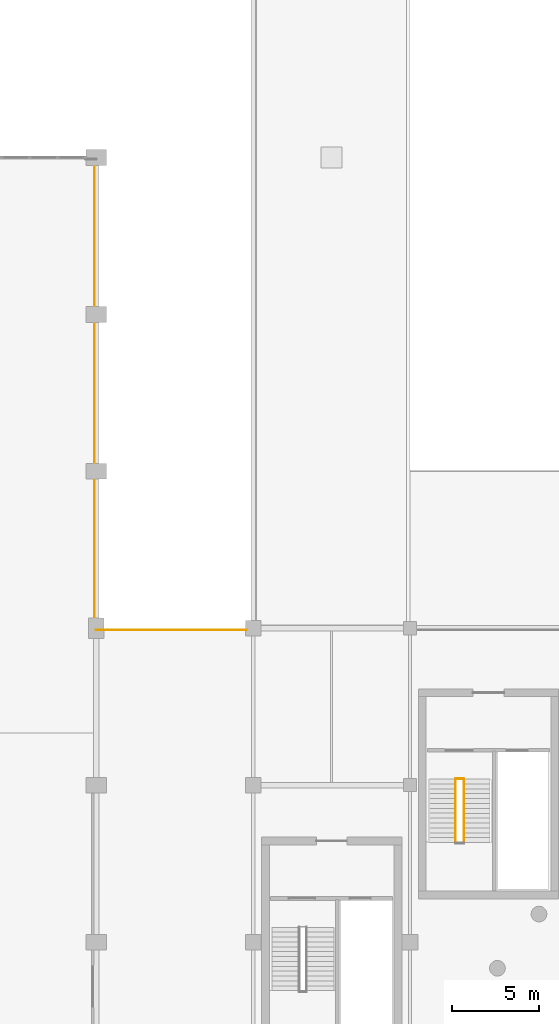
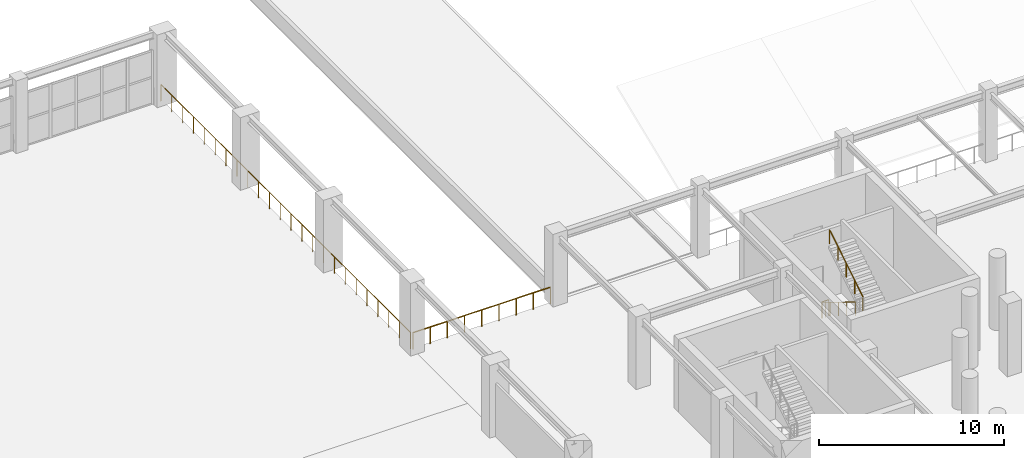
# One storey, part 76 of 89: 5 railings.
"""IFC4 building model written with IfcOpenShell, lengths in metres."""

import ifcopenshell
import ifcopenshell.guid

model = None  # the IFC model being written
_history = None  # IfcOwnerHistory: only IFC2X3 demands one
_inside = {}  # id of a spatial element -> (the spatial element, [elements in it])
_under = {}  # id of a project, library or spatial element -> (it, [spatial elements below it])
_declared = {}  # id of a project -> (the project, [libraries it declares])
_typed = {}  # id of a type object -> (the type object, [elements of that type])
_made_of = {}  # id of a material, layer set ... -> (it, [elements and type objects made of it])


def new_model(schema):
    """Start an empty IFC model of exactly this schema.

    Asked for "IFC4X3", IfcOpenShell would pick the latest addendum, in which some entities
    have other attributes; the version numbers below select the first issue.
    IFC2X3 requires an IfcOwnerHistory on every rooted entity: one is made here for all.
    """
    global model, _history
    if schema == "IFC4X3":
        model = ifcopenshell.file(schema_version=(4, 3, 0, 0))
    else:
        model = ifcopenshell.file(schema=schema)
    _inside.clear()
    _under.clear()
    _declared.clear()
    _typed.clear()
    _made_of.clear()
    _history = None
    if model.schema == "IFC2X3":
        org = make("IfcOrganization", Name="unknown")
        user = make(
            "IfcPersonAndOrganization",
            ThePerson=make("IfcPerson", FamilyName="unknown"),
            TheOrganization=org,
        )
        app = make(
            "IfcApplication",
            ApplicationDeveloper=org,
            Version="unknown",
            ApplicationFullName="unknown",
            ApplicationIdentifier="unknown",
        )
        _history = make(
            "IfcOwnerHistory",
            OwningUser=user,
            OwningApplication=app,
            ChangeAction="ADDED",
            CreationDate=0,
        )
    return model


def make(cls, **values):
    """One entity of the class cls with the attributes given. An attribute that is None is left unset."""
    return model.create_entity(
        cls, **{name: value for name, value in values.items() if value is not None}
    )


def rooted(cls, **values):
    """An entity with a GlobalId (a new one), such as an element, a storey or a relation."""
    return make(cls, GlobalId=ifcopenshell.guid.new(), OwnerHistory=_history, **values)


def si_unit(unit_type, name, prefix=None):
    """IfcSIUnit, for example si_unit("LENGTHUNIT", "METRE", prefix="MILLI")."""
    return make("IfcSIUnit", UnitType=unit_type, Prefix=prefix, Name=name)


def assignment(units):
    """IfcUnitAssignment: the units of a project."""
    return None if units is None else make("IfcUnitAssignment", Units=units)


def point(xyz):
    """IfcCartesianPoint."""
    return None if xyz is None else make("IfcCartesianPoint", Coordinates=xyz)


def direction(xyz):
    """IfcDirection."""
    return None if xyz is None else make("IfcDirection", DirectionRatios=xyz)


def frame(location, z_axis=None, x_axis=None):
    """IfcAxis2Placement3D, a coordinate frame: its origin and axes. An axis left out is left unset."""
    return make(
        "IfcAxis2Placement3D",
        Location=point(location),
        Axis=direction(z_axis),
        RefDirection=direction(x_axis),
    )


def frame_2d(location, x_axis=None):
    """IfcAxis2Placement2D, a coordinate frame in the plane: its origin and x axis."""
    return make(
        "IfcAxis2Placement2D", Location=point(location), RefDirection=direction(x_axis)
    )


def origin():
    """The frame at (0, 0, 0) with its axes left unset."""
    return frame((0.0, 0.0, 0.0))


def origin_2d():
    """The frame at (0, 0) in the plane with its x axis left unset."""
    return frame_2d((0.0, 0.0))


def place(relative_to, where):
    """IfcLocalPlacement: puts the frame where relative to a parent placement (None: the world)."""
    return make(
        "IfcLocalPlacement", PlacementRelTo=relative_to, RelativePlacement=where
    )


def context(
    kind, dimensions, precision=None, world=None, true_north=None, identifier=None
):
    """IfcGeometricRepresentationContext, for example the 3D "Model" context."""
    return make(
        "IfcGeometricRepresentationContext",
        ContextIdentifier=identifier,
        ContextType=kind,
        CoordinateSpaceDimension=dimensions,
        Precision=precision,
        WorldCoordinateSystem=world,
        TrueNorth=true_north,
    )


def subcontext(parent, identifier, kind, view, scale=None):
    """IfcGeometricRepresentationSubContext, for example "Body" below "Model"."""
    return make(
        "IfcGeometricRepresentationSubContext",
        ContextIdentifier=identifier,
        ContextType=kind,
        ParentContext=parent,
        TargetScale=scale,
        TargetView=view,
    )


def project(units=None, contexts=None):
    """IfcProject with its units and contexts."""
    return rooted(
        "IfcProject",
        Name="project",
        RepresentationContexts=contexts,
        UnitsInContext=assignment(units),
    )


def spatial(cls, under=None, at=None, **own):
    """A site, building, storey or space (cls), placed at a placement, below another one or the project."""
    s = rooted(cls, ObjectPlacement=at, **own)
    if under is not None:
        _under.setdefault(under.id(), (under, []))[1].append(s)
    return s


def profile(cls, at=None, kind="AREA", **sizes):
    """A parametric profile (cls). Its sizes go by their IFC names, for example OverallWidth=200.0."""
    return make(cls, ProfileType=kind, Position=at, **sizes)


def circle(**sizes):
    """IfcCircleProfileDef."""
    return profile("IfcCircleProfileDef", **sizes)


def extrude(swept, where, along, depth):
    """IfcExtrudedAreaSolid: the profile swept, set in the frame where, extruded along a direction by depth."""
    return make(
        "IfcExtrudedAreaSolid",
        SweptArea=swept,
        Position=where,
        ExtrudedDirection=direction(along),
        Depth=depth,
    )


def shape(context_of_items, identifier, shape_type, items):
    """IfcShapeRepresentation: the items that make up one representation, for example the "Body"."""
    return make(
        "IfcShapeRepresentation",
        ContextOfItems=context_of_items,
        RepresentationIdentifier=identifier,
        RepresentationType=shape_type,
        Items=items,
    )


def material(Name=None, Category=None):
    """IfcMaterial."""
    return make("IfcMaterial", Name=Name, Category=Category)


def made_of(thing, what):
    """Note that an element or type object is made of a material, layer set ...; save() writes the relation."""
    if what is not None:
        _made_of.setdefault(what.id(), (what, []))[1].append(thing)
    return thing


def type_object(cls, material=None, **own):
    """A type object (cls), such as IfcWallType, which elements share."""
    return made_of(rooted(cls, **own), material)


def element(
    cls,
    number,
    at=None,
    inside=None,
    cuts=None,
    type_object=None,
    material=None,
    context=None,
    identifier="Body",
    shape_type=None,
    held_by="IfcProductDefinitionShape",
    body=None,
    shapes=None,
    **own,
):
    """One element of the class cls, such as IfcWall. Its Tag is "e" and its number.

    at: its placement. inside: the storey or other place that contains it. cuts: it is an
    opening in that element (IfcRelVoidsElement). A single representation is given by context,
    identifier, shape_type and body (its items); several are given by shapes. held_by: the class
    of the entity that holds the representations. save() writes the other relations.
    """
    e = rooted(cls, Tag="e%d" % number, ObjectPlacement=at, **own)
    if body is not None:
        shapes = [shape(context, identifier, shape_type, body)]
    if shapes is not None:
        e.Representation = make(held_by, Representations=shapes)
    if inside is not None:
        _inside.setdefault(inside.id(), (inside, []))[1].append(e)
    if cuts is not None:
        rooted(
            "IfcRelVoidsElement", RelatingBuildingElement=cuts, RelatedOpeningElement=e
        )
    if type_object is not None:
        _typed.setdefault(type_object.id(), (type_object, []))[1].append(e)
    return made_of(e, material)


def aggregate(whole, parts):
    """IfcRelAggregates: a whole, such as a stair, and the parts it consists of."""
    return rooted("IfcRelAggregates", RelatingObject=whole, RelatedObjects=parts)


def save(model, path):
    """Write the relations noted so far, then the file.

    IfcRelAggregates (storeys below a building ...), IfcRelContainedInSpatialStructure (elements
    in a storey), IfcRelDefinesByType, IfcRelAssociatesMaterial and IfcRelDeclares: one each for
    every whole, place, type object, material and project.
    """
    for whole, parts in _under.values():
        aggregate(whole, parts)
    for where, things in _inside.values():
        rooted(
            "IfcRelContainedInSpatialStructure",
            RelatedElements=things,
            RelatingStructure=where,
        )
    for kind, things in _typed.values():
        rooted("IfcRelDefinesByType", RelatedObjects=things, RelatingType=kind)
    for what, things in _made_of.values():
        rooted("IfcRelAssociatesMaterial", RelatedObjects=things, RelatingMaterial=what)
    for by, libraries in _declared.values():
        rooted("IfcRelDeclares", RelatingContext=by, RelatedDefinitions=libraries)
    model.write(path)


model = new_model("IFC4")

# Units and contexts
model_context = context("Model", 3, precision=1e-05, world=origin(), true_north=direction((0.0, 1.0)))
body_context = subcontext(model_context, "Body", "Model", "MODEL_VIEW")
ifc_project = project(units=[si_unit("LENGTHUNIT", "METRE"), si_unit("AREAUNIT", "SQUARE_METRE"), si_unit("VOLUMEUNIT", "CUBIC_METRE"), si_unit("PLANEANGLEUNIT", "RADIAN"), si_unit("MASSUNIT", "GRAM", prefix="KILO")], contexts=[model_context])

# Site, building, storey
site_placement = place(None, origin())
site = spatial("IfcSite", under=ifc_project, at=site_placement, CompositionType="ELEMENT")
building_placement = place(site_placement, origin())
building = spatial("IfcBuilding", under=site, at=building_placement, Name="Dornveld Trade and Exhibition Forum", CompositionType="ELEMENT")
storey_placement = place(building_placement, frame((0.0, 0.0, 12.0)))
storey = spatial("IfcBuildingStorey", under=building, at=storey_placement, Name="L02", CompositionType="ELEMENT", Elevation=12.0)

# Railings
ifc_material_1 = material(Name="Dark-bronze steel and laminated glass balustrade", Category="steel")
railing_type_1 = type_object("IfcRailingType", Name="RL-BALUST-CONC", PredefinedType="BALUSTRADE", material=ifc_material_1)
railing_1_placement = place(storey_placement, frame((80.89990234375, 135.0, 0.0)))
element("IfcRailing", 1, at=railing_1_placement, inside=storey, type_object=railing_type_1, Name="L02 deck edge balustrade 136", PredefinedType="BALUSTRADE", context=body_context, shape_type="SweptSolid", body=[
    extrude(circle(Radius=0.02490234375, at=origin_2d()), frame((0.0, 0.0, 1.09521484375), z_axis=(0.0, -1.0, 0.0), x_axis=(1.0, 0.0, 0.0)), (0.0, 0.0, 1.0), 27.0),
    extrude(circle(Radius=0.02099609375, at=origin_2d()), origin(), (0.0, 0.0, 1.0), 1.070068359375),
    extrude(circle(Radius=0.02099609375, at=origin_2d()), frame((0.0, -1.173828125, 0.0)), (0.0, 0.0, 1.0), 1.070068359375),
    extrude(circle(Radius=0.02099609375, at=origin_2d()), frame((0.0, -2.347900390625, 0.0)), (0.0, 0.0, 1.0), 1.070068359375),
    extrude(circle(Radius=0.02099609375, at=origin_2d()), frame((0.0, -3.521728515625, 0.0)), (0.0, 0.0, 1.0), 1.070068359375),
    extrude(circle(Radius=0.02099609375, at=origin_2d()), frame((0.0, -4.695556640625, 0.0)), (0.0, 0.0, 1.0), 1.070068359375),
    extrude(circle(Radius=0.02099609375, at=origin_2d()), frame((0.0, -5.86962890625, 0.0)), (0.0, 0.0, 1.0), 1.070068359375),
    extrude(circle(Radius=0.02099609375, at=origin_2d()), frame((0.0, -7.04345703125, 0.0)), (0.0, 0.0, 1.0), 1.070068359375),
    extrude(circle(Radius=0.02099609375, at=origin_2d()), frame((0.0, -8.21728515625, 0.0)), (0.0, 0.0, 1.0), 1.070068359375),
    extrude(circle(Radius=0.02099609375, at=origin_2d()), frame((0.0, -9.391357421875, 0.0)), (0.0, 0.0, 1.0), 1.070068359375),
    extrude(circle(Radius=0.02099609375, at=origin_2d()), frame((0.0, -10.565185546875, 0.0)), (0.0, 0.0, 1.0), 1.070068359375),
    extrude(circle(Radius=0.02099609375, at=origin_2d()), frame((0.0, -11.739013671875, 0.0)), (0.0, 0.0, 1.0), 1.070068359375),
    extrude(circle(Radius=0.02099609375, at=origin_2d()), frame((0.0, -12.9130859375, 0.0)), (0.0, 0.0, 1.0), 1.070068359375),
    extrude(circle(Radius=0.02099609375, at=origin_2d()), frame((0.0, -14.0869140625, 0.0)), (0.0, 0.0, 1.0), 1.070068359375),
    extrude(circle(Radius=0.02099609375, at=origin_2d()), frame((0.0, -15.260986328125, 0.0)), (0.0, 0.0, 1.0), 1.070068359375),
    extrude(circle(Radius=0.02099609375, at=origin_2d()), frame((0.0, -16.434814453125, 0.0)), (0.0, 0.0, 1.0), 1.070068359375),
    extrude(circle(Radius=0.02099609375, at=origin_2d()), frame((0.0, -17.608642578125, 0.0)), (0.0, 0.0, 1.0), 1.070068359375),
    extrude(circle(Radius=0.02099609375, at=origin_2d()), frame((0.0, -18.78271484375, 0.0)), (0.0, 0.0, 1.0), 1.070068359375),
    extrude(circle(Radius=0.02099609375, at=origin_2d()), frame((0.0, -19.95654296875, 0.0)), (0.0, 0.0, 1.0), 1.070068359375),
    extrude(circle(Radius=0.02099609375, at=origin_2d()), frame((0.0, -21.13037109375, 0.0)), (0.0, 0.0, 1.0), 1.070068359375),
    extrude(circle(Radius=0.02099609375, at=origin_2d()), frame((0.0, -22.304443359375, 0.0)), (0.0, 0.0, 1.0), 1.070068359375),
    extrude(circle(Radius=0.02099609375, at=origin_2d()), frame((0.0, -23.478271484375, 0.0)), (0.0, 0.0, 1.0), 1.070068359375),
    extrude(circle(Radius=0.02099609375, at=origin_2d()), frame((0.0, -24.652099609375, 0.0)), (0.0, 0.0, 1.0), 1.070068359375),
    extrude(circle(Radius=0.02099609375, at=origin_2d()), frame((0.0, -25.826171875, 0.0)), (0.0, 0.0, 1.0), 1.070068359375),
    extrude(circle(Radius=0.02099609375, at=origin_2d()), frame((0.0, -27.0, 0.0)), (0.0, 0.0, 1.0), 1.070068359375),
])
railing_2_placement = place(storey_placement, frame((81.0, 107.89990234375, 0.0)))
element("IfcRailing", 2, at=railing_2_placement, inside=storey, type_object=railing_type_1, Name="L02 deck edge balustrade 137", PredefinedType="BALUSTRADE", context=body_context, shape_type="SweptSolid", body=[
    extrude(circle(Radius=0.02490234375, at=origin_2d()), frame((0.0, 0.0, 1.09521484375), z_axis=(1.0, 0.0, 0.0), x_axis=(0.0, 1.0, 0.0)), (0.0, 0.0, 1.0), 8.60009765625),
    extrude(circle(Radius=0.02099609375, at=origin_2d()), origin(), (0.0, 0.0, 1.0), 1.070068359375),
    extrude(circle(Radius=0.02099609375, at=origin_2d()), frame((1.074951171875, 0.0, 0.0)), (0.0, 0.0, 1.0), 1.070068359375),
    extrude(circle(Radius=0.02099609375, at=origin_2d()), frame((2.14990234375, 0.0, 0.0)), (0.0, 0.0, 1.0), 1.070068359375),
    extrude(circle(Radius=0.02099609375, at=origin_2d()), frame((3.22509765625, 0.0, 0.0)), (0.0, 0.0, 1.0), 1.070068359375),
    extrude(circle(Radius=0.02099609375, at=origin_2d()), frame((4.300048828125, 0.0, 0.0)), (0.0, 0.0, 1.0), 1.070068359375),
    extrude(circle(Radius=0.02099609375, at=origin_2d()), frame((5.375, 0.0, 0.0)), (0.0, 0.0, 1.0), 1.070068359375),
    extrude(circle(Radius=0.02099609375, at=origin_2d()), frame((6.4501953125, 0.0, 0.0)), (0.0, 0.0, 1.0), 1.070068359375),
    extrude(circle(Radius=0.02099609375, at=origin_2d()), frame((7.525146484375, 0.0, 0.0)), (0.0, 0.0, 1.0), 1.070068359375),
    extrude(circle(Radius=0.02099609375, at=origin_2d()), frame((8.60009765625, 0.0, 0.0)), (0.0, 0.0, 1.0), 1.070068359375),
])
ifc_material_2 = material(Name="Brushed stainless steel handrail", Category="steel")
railing_type_2 = type_object("IfcRailingType", Name="RL-HAND-920", PredefinedType="HANDRAIL", material=ifc_material_2)
railing_3_placement = place(storey_placement, frame((101.60498046875, 99.35009765625, 0.17138671875)))
element("IfcRailing", 3, at=railing_3_placement, inside=storey, type_object=railing_type_2, Name="ST-03-L02 flight 1 handrail", PredefinedType="HANDRAIL", context=body_context, shape_type="SweptSolid", body=[
    extrude(circle(Radius=0.02099609375, at=origin_2d()), frame((0.0, 0.0, 0.89892578125), z_axis=(0.0, -0.852865859571, 0.52213008492), x_axis=(1.0, 0.0, 0.0)), (0.0, 0.0, 1.0), 4.26806640625),
    extrude(circle(Radius=0.01806640625, at=origin_2d()), origin(), (0.0, 0.0, 1.0), 0.8779296875),
    extrude(circle(Radius=0.01806640625, at=origin_2d()), frame((0.0, -0.91015625, 0.55712890625)), (0.0, 0.0, 1.0), 0.8779296875),
    extrude(circle(Radius=0.01806640625, at=origin_2d()), frame((0.0, -1.820068359375, 1.1142578125)), (0.0, 0.0, 1.0), 0.8779296875),
    extrude(circle(Radius=0.01806640625, at=origin_2d()), frame((0.0, -2.72998046875, 1.67138671875)), (0.0, 0.0, 1.0), 0.8779296875),
    extrude(circle(Radius=0.01806640625, at=origin_2d()), frame((0.0, -3.64013671875, 2.228515625)), (0.0, 0.0, 1.0), 0.8779296875),
])
railing_4_placement = place(storey_placement, frame((102.094970703125, 95.7099609375, 2.5712890625)))
element("IfcRailing", 4, at=railing_4_placement, inside=storey, type_object=railing_type_2, Name="ST-03-L02 flight 2 handrail", PredefinedType="HANDRAIL", context=body_context, shape_type="SweptSolid", body=[
    extrude(circle(Radius=0.02099609375, at=origin_2d()), frame((0.0, 0.0, 0.89892578125), z_axis=(0.0, 0.852840387347, 0.522171689878), x_axis=(-1.0, 0.0, 0.0)), (0.0, 0.0, 1.0), 4.268310546875),
    extrude(circle(Radius=0.01806640625, at=origin_2d()), origin(), (0.0, 0.0, 1.0), 0.8779296875),
    extrude(circle(Radius=0.01806640625, at=origin_2d()), frame((0.0, 0.91015625, 0.55712890625)), (0.0, 0.0, 1.0), 0.8779296875),
    extrude(circle(Radius=0.01806640625, at=origin_2d()), frame((0.0, 1.820068359375, 1.1142578125)), (0.0, 0.0, 1.0), 0.8779296875),
    extrude(circle(Radius=0.01806640625, at=origin_2d()), frame((0.0, 2.72998046875, 1.671630859375)), (0.0, 0.0, 1.0), 0.8779296875),
    extrude(circle(Radius=0.01806640625, at=origin_2d()), frame((0.0, 3.64013671875, 2.228759765625)), (0.0, 0.0, 1.0), 0.8779296875),
])
ifc_material_3 = material(Name="Painted steel S355J2 stair-well guard", Category="steel")
railing_type_3 = type_object("IfcRailingType", Name="RL-WELL-110", PredefinedType="GUARDRAIL", material=ifc_material_3)
railing_5_placement = place(storey_placement, frame((101.635009765625, 99.3701171875, 0.0)))
element("IfcRailing", 5, at=railing_5_placement, inside=storey, type_object=railing_type_3, Name="CORE-03 L02 stair-slot floor guard", PredefinedType="GUARDRAIL", context=body_context, shape_type="SweptSolid", body=[
    extrude(circle(Radius=0.02392578125, at=origin_2d()), frame((0.0, 0.0, 1.076171875), z_axis=(1.0, 0.0, 0.0), x_axis=(0.0, 1.0, 0.0)), (0.0, 0.0, 1.0), 0.429931640625),
    extrude(circle(Radius=0.02001953125, at=origin_2d()), origin(), (0.0, 0.0, 1.0), 1.052001953125),
    extrude(circle(Radius=0.02001953125, at=origin_2d()), frame((0.21484375, 0.0, 0.0)), (0.0, 0.0, 1.0), 1.052001953125),
    extrude(circle(Radius=0.02001953125, at=origin_2d()), frame((0.429931640625, 0.0, 0.0)), (0.0, 0.0, 1.0), 1.052001953125),
])

save(model, "model.ifc")
